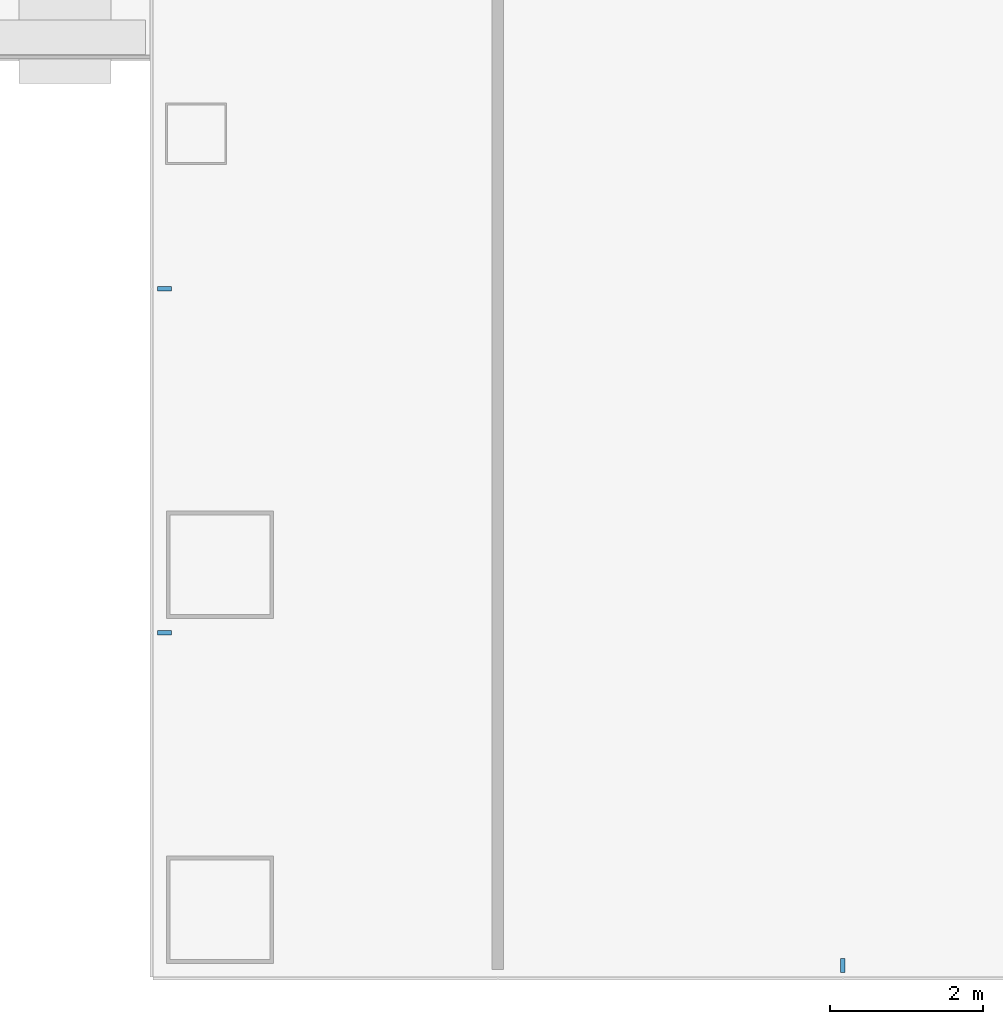
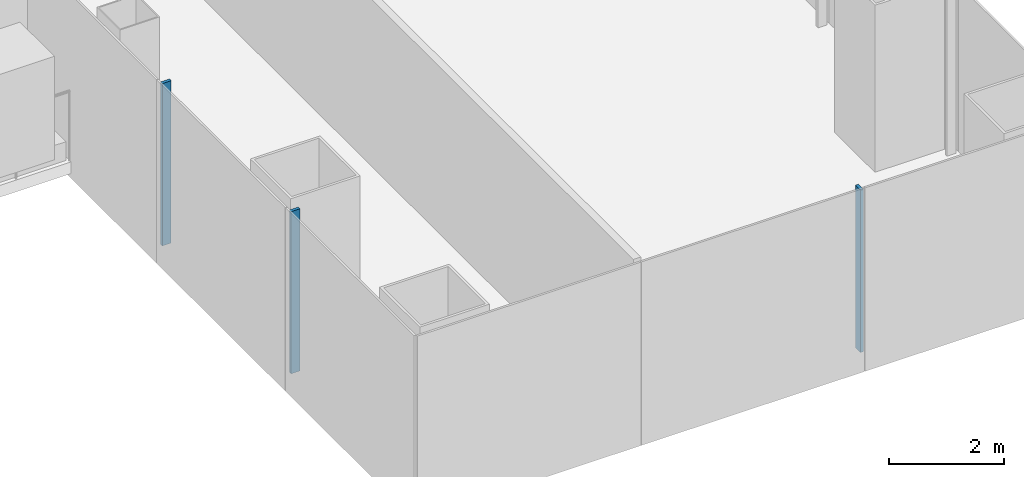
# One storey, part 3 of 21: 3 members, 2 elements without a shape of their own.
"""IFC4 building model written with IfcOpenShell, lengths in metres."""

from ifc_helpers import new_model, si_unit, direction, frame, origin, origin_2d, place, context, subcontext, project, spatial, rectangle, extrude, material, layer, layer_set, material_profile, profile_set, type_object, element, aggregate, save


model = new_model("IFC4")

# Units and contexts
model_context = context("Model", 3, precision=1e-05, world=origin(), true_north=direction((0.0, 1.0)))
body_context = subcontext(model_context, "Body", "Model", "MODEL_VIEW")
ifc_project = project(units=[si_unit("LENGTHUNIT", "METRE"), si_unit("AREAUNIT", "SQUARE_METRE"), si_unit("VOLUMEUNIT", "CUBIC_METRE"), si_unit("PLANEANGLEUNIT", "RADIAN"), si_unit("MASSUNIT", "GRAM", prefix="KILO")], contexts=[model_context])

# Site, building, storey
site_placement = place(None, origin())
site = spatial("IfcSite", under=ifc_project, at=site_placement, CompositionType="ELEMENT")
building_placement = place(site_placement, origin())
building = spatial("IfcBuilding", under=site, at=building_placement, Name="Shamsa Quay Exchange Towers", CompositionType="ELEMENT")
storey_placement = place(building_placement, frame((0.0, 0.0, 65.39990234375)))
storey = spatial("IfcBuildingStorey", under=building, at=storey_placement, Name="L14", CompositionType="ELEMENT", Elevation=65.39990234375)

# Curtain wall, members
ifc_material = material(Name="Aluminium EN AW-6063 T6, black anodised", Category="aluminium")
ifc_layer = layer(ifc_material, 0.280029296875)
ifc_layer_set = layer_set([ifc_layer], Name="CW-1 UNITISED VISION GLASS")
curtain_wall_type = type_object("IfcCurtainWallType", Name="CW-1 UNITISED VISION GLASS", PredefinedType="NOTDEFINED", material=ifc_layer_set)
curtain_wall_1_placement = place(storey_placement, origin())
curtain_wall_1 = element("IfcCurtainWall", 1, at=curtain_wall_1_placement, inside=storey, type_object=curtain_wall_type, Name="CW1 T1-FLK-V-W L14", PredefinedType="NOTDEFINED")
ifc_material_profile = material_profile(ifc_material, rectangle(XDim=0.179931640625, YDim=0.06005859375, at=origin_2d()), Name="MU60x180")
ifc_profile_set = profile_set([ifc_material_profile], Name="Aluminium EN AW-6063 T6, black anodised")
member_type = type_object("IfcMemberType", Name="CW1 MULLION 60x180", PredefinedType="MULLION", material=ifc_profile_set)
member_1_placement = place(storey_placement, frame((-40.35009765625, -15.775390625, 0.0)))
member_1 = element("IfcMember", 2, at=member_1_placement, type_object=member_type, Name="CW1 mullion", PredefinedType="MULLION", context=body_context, shape_type="SweptSolid", body=[
    extrude(rectangle(XDim=0.179931640625, YDim=0.06005859375, at=origin_2d()), origin(), (0.0, 0.0, 1.0), 3.4501953125),
])
member_2_placement = place(storey_placement, frame((-40.35009765625, -20.2626953125, 0.0)))
member_2 = element("IfcMember", 3, at=member_2_placement, type_object=member_type, Name="CW1 mullion", PredefinedType="MULLION", context=body_context, shape_type="SweptSolid", body=[
    extrude(rectangle(XDim=0.179931640625, YDim=0.06005859375, at=origin_2d()), origin(), (0.0, 0.0, 1.0), 3.4501953125),
])
aggregate(curtain_wall_1, [member_1, member_2])

# Curtain wall, member
curtain_wall_2_placement = place(storey_placement, origin())
curtain_wall_2 = element("IfcCurtainWall", 4, at=curtain_wall_2_placement, inside=storey, type_object=curtain_wall_type, Name="CW1 T1-END-V- L14", PredefinedType="NOTDEFINED")
member_3_placement = place(storey_placement, frame((-31.5, -24.60009765625, 0.0), z_axis=(0.0, 0.0, 1.0), x_axis=(0.0, 1.0, 0.0)))
member_3 = element("IfcMember", 5, at=member_3_placement, type_object=member_type, Name="CW1 mullion", PredefinedType="MULLION", context=body_context, shape_type="SweptSolid", body=[
    extrude(rectangle(XDim=0.179931640625, YDim=0.06005859375, at=origin_2d()), origin(), (0.0, 0.0, 1.0), 3.4501953125),
])
aggregate(curtain_wall_2, [member_3])

save(model, "model.ifc")
